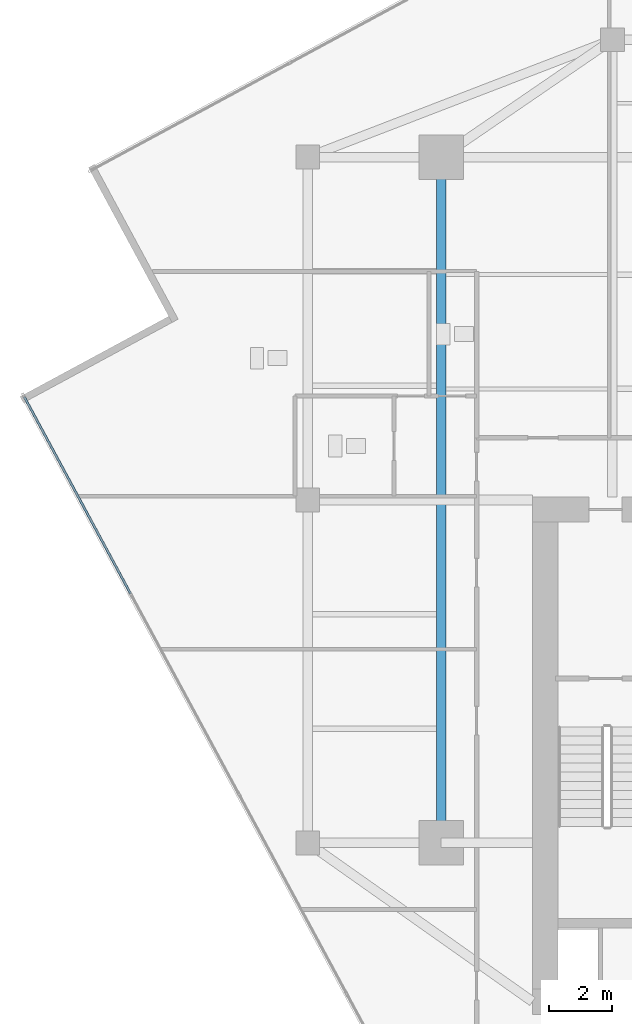
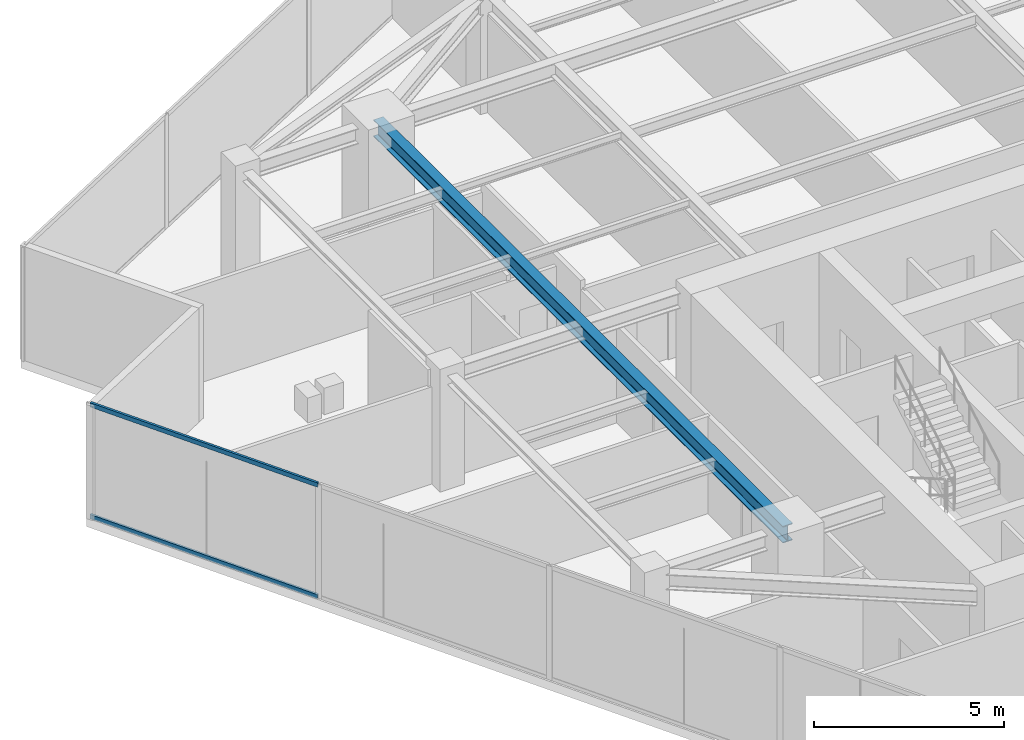
# One storey, part 5 of 22: 2 members, 1 beam, 1 element without a shape of its own.
"""IFC4 building model written with IfcOpenShell, lengths in metres."""

from ifc_helpers import new_model, si_unit, direction, frame, origin, origin_2d, place, context, subcontext, project, spatial, hollow_rectangle, i_section, extrude, source, transform, mapped, material, material_profile, profile_set, type_object, type_shapes, element, aggregate, save


model = new_model("IFC4")

# Units and contexts
model_context = context("Model", 3, precision=1e-05, world=origin(), true_north=direction((0.0, 1.0)))
body_context = subcontext(model_context, "Body", "Model", "MODEL_VIEW")
ifc_project = project(units=[si_unit("LENGTHUNIT", "METRE"), si_unit("AREAUNIT", "SQUARE_METRE"), si_unit("VOLUMEUNIT", "CUBIC_METRE"), si_unit("PLANEANGLEUNIT", "RADIAN"), si_unit("MASSUNIT", "GRAM", prefix="KILO")], contexts=[model_context])

# Site, building, storey
site_placement = place(None, origin())
site = spatial("IfcSite", under=ifc_project, at=site_placement, CompositionType="ELEMENT")
building_placement = place(site_placement, origin())
building = spatial("IfcBuilding", under=site, at=building_placement, Name="Krantzveldt Concourse Tower", CompositionType="ELEMENT")
storey_placement = place(building_placement, frame((0.0, 0.0, 306.89990234375)))
storey = spatial("IfcBuildingStorey", under=building, at=storey_placement, Name="L75", CompositionType="ELEMENT", Elevation=306.89990234375)

# Beam
ifc_material_1 = material(Name="Steel S355JR", Category="steel")
ifc_material_profile_1 = material_profile(ifc_material_1, i_section(OverallWidth=0.300048828125, OverallDepth=0.5400390625, WebThickness=0.012451171875, FlangeThickness=0.02392578125, FilletRadius=0.027099609375, at=origin_2d()), Name="Steel S355JR", Category="steel")
ifc_profile_set_1 = profile_set([ifc_material_profile_1], Name="Steel S355JR - HEA 550")
beam_type = type_object("IfcBeamType", Name="BM-B-HEA550", PredefinedType="BEAM", material=ifc_profile_set_1)
shared_shape_1 = source(origin(), body_context, "Body", "SweptSolid", [
    extrude(i_section(OverallWidth=0.300048828125, OverallDepth=0.5400390625, WebThickness=0.012451171875, FlangeThickness=0.02392578125, FilletRadius=0.027099609375, at=origin_2d()), origin(), (0.0, 0.0, 1.0), 21.60009765625),
])
type_shapes(beam_type, [shared_shape_1])
beam_placement = place(storey_placement, frame((25.199951171875, 15.89990234375, 3.400146484375), z_axis=(0.0, 1.0, 0.0), x_axis=(-1.0, 0.0, 0.0)))
element("IfcBeam", 1, at=beam_placement, inside=storey, type_object=beam_type, Name="L75 Tower Girder BG-MW", PredefinedType="BEAM", context=body_context, shape_type="MappedRepresentation", body=[
    mapped(shared_shape_1, transform((0.0, 0.0, 0.0), x_axis=(1.0, 0.0, 0.0), y_axis=(0.0, 1.0, 0.0), z_axis=(0.0, 0.0, 1.0), scale=1.0)),
])

# Curtain wall, members
ifc_material_2 = material(Name="Anodised aluminium 6063-T6", Category="aluminium")
curtain_wall_type = type_object("IfcCurtainWallType", Name="CW4", PredefinedType="USERDEFINED", material=ifc_material_2)
curtain_wall_placement = place(storey_placement, origin())
curtain_wall = element("IfcCurtainWall", 2, at=curtain_wall_placement, inside=storey, type_object=curtain_wall_type, Name="CW-L75-F04", ObjectType="UNITISED CURTAIN WALL", PredefinedType="USERDEFINED")
ifc_material_profile_2 = material_profile(ifc_material_2, hollow_rectangle(XDim=0.070068359375, YDim=0.139892578125, WallThickness=0.0048828125, at=origin_2d()), Name="Anodised aluminium 6063-T6", Category="aluminium")
ifc_profile_set_2 = profile_set([ifc_material_profile_2], Name="Anodised aluminium 6063-T6 - ALU-TRAN 140x70x5")
member_type = type_object("IfcMemberType", Name="CW-TRN-150", PredefinedType="USERDEFINED", material=ifc_profile_set_2)
shared_shape_2 = source(origin(), body_context, "Body", "SweptSolid", [
    extrude(hollow_rectangle(XDim=0.070068359375, YDim=0.139892578125, WallThickness=0.0048828125, at=origin_2d()), origin(), (0.0, 0.0, 1.0), 7.045166015625),
])
type_shapes(member_type, [shared_shape_2])
member_1_placement = place(storey_placement, frame((12.0712890625, 29.948486328125, 0.03515625), z_axis=(0.475240134235, -0.87985613302, 0.0), x_axis=(0.87985613302, 0.475240134235, 0.0)))
member_1 = element("IfcMember", 3, at=member_1_placement, type_object=member_type, Name="CW-Z56 transom 1.1", ObjectType="TRANSOM", PredefinedType="USERDEFINED", context=body_context, shape_type="MappedRepresentation", body=[
    mapped(shared_shape_2, transform((0.0, 0.0, 0.0), x_axis=(1.0, 0.0, 0.0), y_axis=(0.0, 1.0, 0.0), z_axis=(0.0, 0.0, 1.0), scale=1.0)),
])
member_2_placement = place(storey_placement, frame((12.0712890625, 29.948486328125, 3.635009765625), z_axis=(0.475240134235, -0.87985613302, 0.0), x_axis=(0.87985613302, 0.475240134235, 0.0)))
member_2 = element("IfcMember", 4, at=member_2_placement, type_object=member_type, Name="CW-Z56 transom 1.2", ObjectType="TRANSOM", PredefinedType="USERDEFINED", context=body_context, shape_type="MappedRepresentation", body=[
    mapped(shared_shape_2, transform((0.0, 0.0, 0.0), x_axis=(1.0, 0.0, 0.0), y_axis=(0.0, 1.0, 0.0), z_axis=(0.0, 0.0, 1.0), scale=1.0)),
])
aggregate(curtain_wall, [member_1, member_2])

save(model, "model.ifc")
